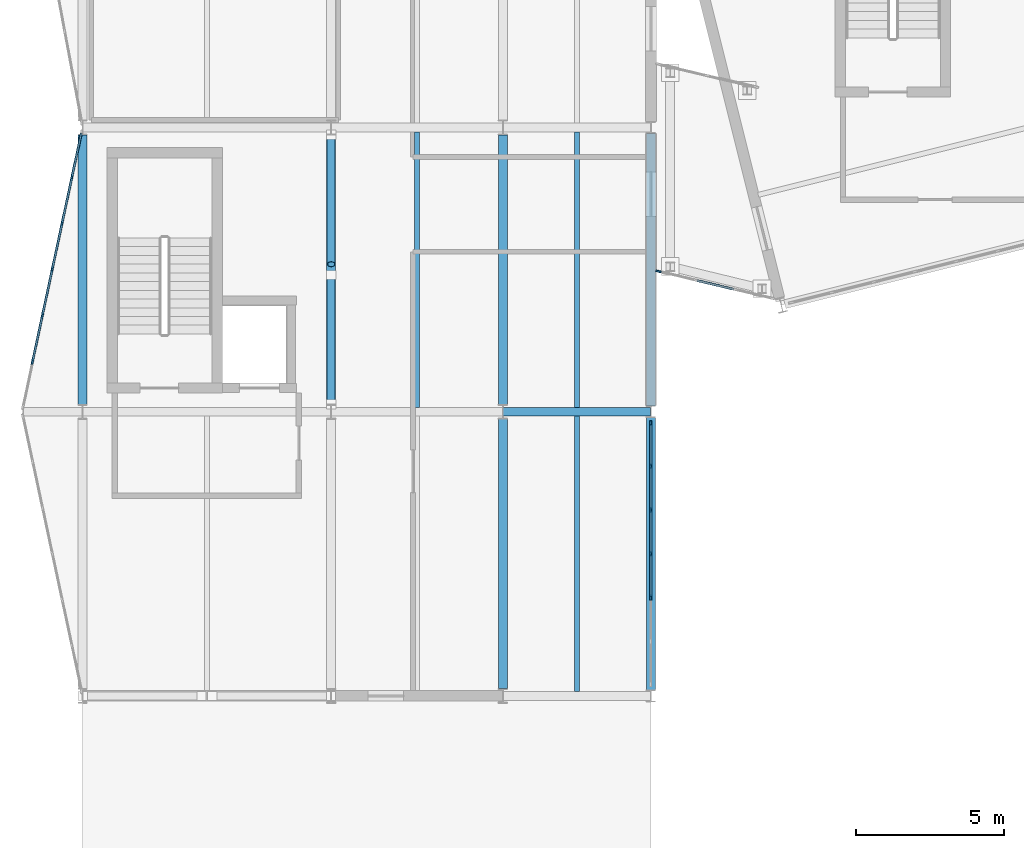
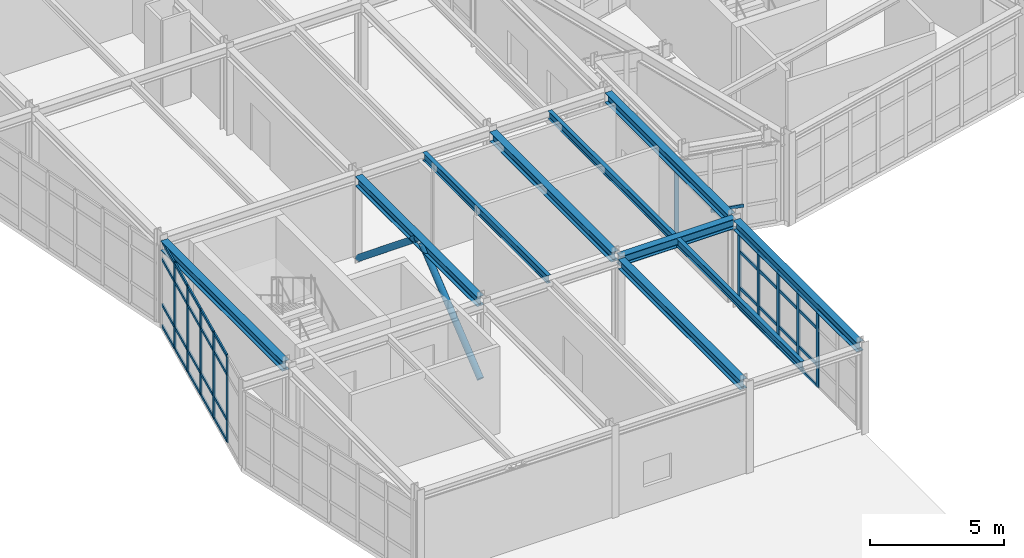
# One storey, part 15 of 88: 51 members, 10 beams, 3 elements without a shape of their own.
"""IFC4 building model written with IfcOpenShell, lengths in metres."""

from ifc_helpers import new_model, si_unit, direction, frame, origin, origin_2d, place, context, subcontext, project, spatial, rectangle, hollow_circle, i_section, extrude, material, layer, layer_set, material_profile, profile_set, type_object, element, aggregate, save


model = new_model("IFC4")

# Units and contexts
model_context = context("Model", 3, precision=1e-05, world=origin(), true_north=direction((0.0, 1.0)))
body_context = subcontext(model_context, "Body", "Model", "MODEL_VIEW")
ifc_project = project(units=[si_unit("LENGTHUNIT", "METRE"), si_unit("AREAUNIT", "SQUARE_METRE"), si_unit("VOLUMEUNIT", "CUBIC_METRE"), si_unit("PLANEANGLEUNIT", "RADIAN"), si_unit("MASSUNIT", "GRAM", prefix="KILO")], contexts=[model_context])

# Site, building, storey
site_placement = place(None, origin())
site = spatial("IfcSite", under=ifc_project, at=site_placement, CompositionType="ELEMENT")
building_placement = place(site_placement, origin())
building = spatial("IfcBuilding", under=site, at=building_placement, Name="Nordkorset Police Headquarters", CompositionType="ELEMENT")
storey_placement = place(building_placement, frame((0.0, 0.0, 9.449951171875)))
storey = spatial("IfcBuildingStorey", under=building, at=storey_placement, Name="L02", CompositionType="ELEMENT", Elevation=9.449951171875)

# Beams
ifc_material_1 = material(Name="Steel S355J2", Category="steel")
ifc_material_profile_1 = material_profile(ifc_material_1, i_section(OverallWidth=0.169921875, OverallDepth=0.360107421875, WebThickness=0.008056640625, FlangeThickness=0.0126953125, FilletRadius=0.01806640625, at=origin_2d()), Name="IPE 360")
ifc_profile_set_1 = profile_set([ifc_material_profile_1], Name="Steel S355J2")
beam_type_1 = type_object("IfcBeamType", Name="Beam_IPE_360", PredefinedType="BEAM", material=ifc_profile_set_1)
for number, where, z_axis, x_axis, name in (
    (1, (11.300048828125, 38.550048828125, 3.7900390625), (0.0, 1.0, 0.0), (-1.0, 0.0, 0.0), "Composite Floor Beam V3 L02 1-1-1"),
    (2, (16.699951171875, 28.949951171875, 3.7900390625), (0.0, 1.0, 0.0), (-1.0, 0.0, 0.0), "Composite Floor Beam V3 L02 2-0-1"),
    (3, (16.699951171875, 38.550048828125, 3.7900390625), (0.0, 1.0, 0.0), (-1.0, 0.0, 0.0), "Composite Floor Beam V3 L02 2-1-1"),
):
    element("IfcBeam", number, at=place(storey_placement, frame(where, z_axis=z_axis, x_axis=x_axis)), inside=storey, type_object=beam_type_1, Name=name, PredefinedType="BEAM", context=body_context, shape_type="SweptSolid", body=[
        extrude(i_section(OverallWidth=0.169921875, OverallDepth=0.360107421875, WebThickness=0.008056640625, FlangeThickness=0.0126953125, FilletRadius=0.01806640625, at=origin_2d()), origin(), (0.0, 0.0, 1.0), 9.300048828125),
    ])

# Members
ifc_material_2 = material(Name="Steel S355J2", Category="steel")
ifc_material_profile_2 = material_profile(ifc_material_2, hollow_circle(Radius=0.136474609375, WallThickness=0.012451171875, at=origin_2d()), Name="CHS 273x12.5")
ifc_profile_set_2 = profile_set([ifc_material_profile_2], Name="Steel S355J2")
member_type_1 = type_object("IfcMemberType", Name="Brace_CHS_273x12.5", PredefinedType="BRACE", material=ifc_profile_set_2)
for number, where, z_axis, x_axis, name in (
    (4, (8.39990234375, 38.64990234375, 0.199951171875), (0.0, 0.776172356383, 0.630520795205), (-1.0, 0.0, 0.0), "Lateral Chevron Brace BF-V3-A L02 D1"),
    (5, (8.39990234375, 47.75, 0.199951171875), (0.0, -0.776172356383, 0.630520795205), (1.0, 0.0, 0.0), "Lateral Chevron Brace BF-V3-A L02 D2"),
):
    element("IfcMember", number, at=place(storey_placement, frame(where, z_axis=z_axis, x_axis=x_axis)), inside=storey, type_object=member_type_1, Name=name, PredefinedType="BRACE", context=body_context, shape_type="SweptSolid", body=[
        extrude(hollow_circle(Radius=0.136474609375, WallThickness=0.012451171875, at=origin_2d()), origin(), (0.0, 0.0, 1.0), 5.63037109375),
    ])

# Curtain wall, members
ifc_material_3 = material(Name="Aluminium alloy AW-6060", Category="aluminium")
ifc_layer_1 = layer(ifc_material_3, 0.179931640625, Name="Aluminium alloy AW-6060")
ifc_layer_set_1 = layer_set([ifc_layer_1], Name="Aluminium alloy AW-6060")
curtain_wall_type_1 = type_object("IfcCurtainWallType", Name="CW_Unit_888x351", PredefinedType="USERDEFINED", material=ifc_layer_set_1)
curtain_wall_1_placement = place(storey_placement, origin())
curtain_wall_1 = element("IfcCurtainWall", 6, at=curtain_wall_1_placement, inside=storey, type_object=curtain_wall_type_1, Name="Unitised Curtain Wall L02 V3E-0", ObjectType="UNITISED CURTAIN WALL", PredefinedType="USERDEFINED")
ifc_material_4 = material(Name="Aluminium alloy AW-6060", Category="aluminium")
ifc_material_profile_3 = material_profile(ifc_material_4, rectangle(XDim=0.06494140625, YDim=0.179931640625, at=origin_2d()), Name="ALU MULL 65x180")
ifc_profile_set_3 = profile_set([ifc_material_profile_3], Name="Aluminium alloy AW-6060")
member_type_2 = type_object("IfcMemberType", Name="CW_Mullion_65x180", PredefinedType="MULLION", material=ifc_profile_set_3)
member_1_placement = place(storey_placement, frame((19.199951171875, 32.1201171875, 0.0), z_axis=(0.0, 0.0, 1.0), x_axis=(-1.0, 0.0, 0.0)))
member_1 = element("IfcMember", 7, at=member_1_placement, type_object=member_type_2, Name="CW-58 mullion 3", PredefinedType="MULLION", context=body_context, shape_type="SweptSolid", body=[
    extrude(rectangle(XDim=0.06494140625, YDim=0.179931640625, at=origin_2d()), origin(), (0.0, 0.0, 1.0), 3.510009765625),
])
member_2_placement = place(storey_placement, frame((19.199951171875, 33.60009765625, 0.0), z_axis=(0.0, 0.0, 1.0), x_axis=(-1.0, 0.0, 0.0)))
member_2 = element("IfcMember", 8, at=member_2_placement, type_object=member_type_2, Name="CW-58 mullion 4", PredefinedType="MULLION", context=body_context, shape_type="SweptSolid", body=[
    extrude(rectangle(XDim=0.06494140625, YDim=0.179931640625, at=origin_2d()), origin(), (0.0, 0.0, 1.0), 3.510009765625),
])
member_3_placement = place(storey_placement, frame((19.199951171875, 35.080078125, 0.0), z_axis=(0.0, 0.0, 1.0), x_axis=(-1.0, 0.0, 0.0)))
member_3 = element("IfcMember", 9, at=member_3_placement, type_object=member_type_2, Name="CW-58 mullion 5", PredefinedType="MULLION", context=body_context, shape_type="SweptSolid", body=[
    extrude(rectangle(XDim=0.06494140625, YDim=0.179931640625, at=origin_2d()), origin(), (0.0, 0.0, 1.0), 3.510009765625),
])
member_4_placement = place(storey_placement, frame((19.199951171875, 36.56005859375, 0.0), z_axis=(0.0, 0.0, 1.0), x_axis=(-1.0, 0.0, 0.0)))
member_4 = element("IfcMember", 10, at=member_4_placement, type_object=member_type_2, Name="CW-58 mullion 6", PredefinedType="MULLION", context=body_context, shape_type="SweptSolid", body=[
    extrude(rectangle(XDim=0.06494140625, YDim=0.179931640625, at=origin_2d()), origin(), (0.0, 0.0, 1.0), 3.510009765625),
])
member_5_placement = place(storey_placement, frame((19.199951171875, 38.007568359375, 0.0), z_axis=(0.0, 0.0, 1.0), x_axis=(-1.0, 0.0, 0.0)))
member_5 = element("IfcMember", 11, at=member_5_placement, type_object=member_type_2, Name="CW-58 mullion 7", PredefinedType="MULLION", context=body_context, shape_type="SweptSolid", body=[
    extrude(rectangle(XDim=0.06494140625, YDim=0.179931640625, at=origin_2d()), origin(), (0.0, 0.0, 1.0), 3.510009765625),
])

ifc_material_5 = material(Name="Aluminium alloy AW-6060", Category="aluminium")
ifc_layer_2 = layer(ifc_material_5, 0.179931640625, Name="Aluminium alloy AW-6060")
ifc_layer_set_2 = layer_set([ifc_layer_2], Name="Aluminium alloy AW-6060")
curtain_wall_type_2 = type_object("IfcCurtainWallType", Name="CW_Unit_954x392", PredefinedType="USERDEFINED", material=ifc_layer_set_2)
curtain_wall_2_placement = place(storey_placement, origin())
curtain_wall_2 = element("IfcCurtainWall", 12, at=curtain_wall_2_placement, inside=storey, type_object=curtain_wall_type_2, Name="Unitised Curtain Wall L02 V3W-1", ObjectType="UNITISED CURTAIN WALL", PredefinedType="USERDEFINED")
member_6_placement = place(storey_placement, frame((-1.688720703125, 40.09130859375, 0.0), z_axis=(0.0, 0.0, 1.0), x_axis=(-0.977951416289, 0.208832534289, 0.0)))
member_6 = element("IfcMember", 13, at=member_6_placement, type_object=member_type_2, Name="CW-20 mullion 2", PredefinedType="MULLION", context=body_context, shape_type="SweptSolid", body=[
    extrude(rectangle(XDim=0.06494140625, YDim=0.179931640625, at=origin_2d()), origin(), (0.0, 0.0, 1.0), 3.920166015625),
])
member_7_placement = place(storey_placement, frame((-1.35693359375, 41.645751953125, 0.0), z_axis=(0.0, 0.0, 1.0), x_axis=(-0.977951416289, 0.208832534289, 0.0)))
member_7 = element("IfcMember", 14, at=member_7_placement, type_object=member_type_2, Name="CW-20 mullion 3", PredefinedType="MULLION", context=body_context, shape_type="SweptSolid", body=[
    extrude(rectangle(XDim=0.06494140625, YDim=0.179931640625, at=origin_2d()), origin(), (0.0, 0.0, 1.0), 3.920166015625),
])
member_8_placement = place(storey_placement, frame((-1.02490234375, 43.199951171875, 0.0), z_axis=(0.0, 0.0, 1.0), x_axis=(-0.977951416289, 0.208832534289, 0.0)))
member_8 = element("IfcMember", 15, at=member_8_placement, type_object=member_type_2, Name="CW-20 mullion 4", PredefinedType="MULLION", context=body_context, shape_type="SweptSolid", body=[
    extrude(rectangle(XDim=0.06494140625, YDim=0.179931640625, at=origin_2d()), origin(), (0.0, 0.0, 1.0), 3.920166015625),
])
member_9_placement = place(storey_placement, frame((-0.693115234375, 44.75439453125, 0.0), z_axis=(0.0, 0.0, 1.0), x_axis=(-0.977951416289, 0.208832534289, 0.0)))
member_9 = element("IfcMember", 16, at=member_9_placement, type_object=member_type_2, Name="CW-20 mullion 5", PredefinedType="MULLION", context=body_context, shape_type="SweptSolid", body=[
    extrude(rectangle(XDim=0.06494140625, YDim=0.179931640625, at=origin_2d()), origin(), (0.0, 0.0, 1.0), 3.920166015625),
])
member_10_placement = place(storey_placement, frame((-0.361083984375, 46.308837890625, 0.0), z_axis=(0.0, 0.0, 1.0), x_axis=(-0.977951416289, 0.208832534289, 0.0)))
member_10 = element("IfcMember", 17, at=member_10_placement, type_object=member_type_2, Name="CW-20 mullion 6", PredefinedType="MULLION", context=body_context, shape_type="SweptSolid", body=[
    extrude(rectangle(XDim=0.06494140625, YDim=0.179931640625, at=origin_2d()), origin(), (0.0, 0.0, 1.0), 3.920166015625),
])

# Curtain wall, member
ifc_material_6 = material(Name="Aluminium alloy AW-6060", Category="aluminium")
ifc_layer_3 = layer(ifc_material_6, 0.179931640625, Name="Aluminium alloy AW-6060")
ifc_layer_set_3 = layer_set([ifc_layer_3], Name="Aluminium alloy AW-6060")
curtain_wall_type_3 = type_object("IfcCurtainWallType", Name="CW_Unit_401x364", PredefinedType="USERDEFINED", material=ifc_layer_set_3)
curtain_wall_3_placement = place(storey_placement, origin())
curtain_wall_3 = element("IfcCurtainWall", 18, at=curtain_wall_3_placement, inside=storey, type_object=curtain_wall_type_3, Name="Unitised Curtain Wall L02 BRGW-S", ObjectType="UNITISED CURTAIN WALL", PredefinedType="USERDEFINED")
member_11_placement = place(storey_placement, frame((19.456787109375, 43.140869140625, 0.0), z_axis=(0.0, 0.0, 1.0), x_axis=(0.231206329825, 0.972904739966, 0.0)))
member_11 = element("IfcMember", 19, at=member_11_placement, type_object=member_type_2, Name="CW-14 mullion 1", PredefinedType="MULLION", context=body_context, shape_type="SweptSolid", body=[
    extrude(rectangle(XDim=0.06494140625, YDim=0.179931640625, at=origin_2d()), origin(), (0.0, 0.0, 1.0), 3.635009765625),
])

# Member
ifc_material_7 = material(Name="Aluminium alloy AW-6060", Category="aluminium")
ifc_material_profile_4 = material_profile(ifc_material_7, rectangle(XDim=0.06494140625, YDim=0.139892578125, at=origin_2d()), Name="ALU TRAN 65x140")
ifc_profile_set_4 = profile_set([ifc_material_profile_4], Name="Aluminium alloy AW-6060")
member_type_3 = type_object("IfcMemberType", Name="CW_Transom_65x140", PredefinedType="USERDEFINED", material=ifc_profile_set_4)
member_12_placement = place(storey_placement, frame((19.199951171875, 32.152587890625, 0.032470703125), z_axis=(0.0, 1.0, 0.0), x_axis=(-1.0, 0.0, 0.0)))
member_12 = element("IfcMember", 20, at=member_12_placement, type_object=member_type_3, Name="CW-58 transom 3.1", ObjectType="TRANSOM", PredefinedType="USERDEFINED", context=body_context, shape_type="SweptSolid", body=[
    extrude(rectangle(XDim=0.06494140625, YDim=0.139892578125, at=origin_2d()), origin(), (0.0, 0.0, 1.0), 1.414794921875),
])

member_13_placement = place(storey_placement, frame((19.199951171875, 32.152587890625, 1.0), z_axis=(0.0, 1.0, 0.0), x_axis=(-1.0, 0.0, 0.0)))
member_13 = element("IfcMember", 21, at=member_13_placement, type_object=member_type_3, Name="CW-58 transom 3.2", ObjectType="TRANSOM", PredefinedType="USERDEFINED", context=body_context, shape_type="SweptSolid", body=[
    extrude(rectangle(XDim=0.06494140625, YDim=0.139892578125, at=origin_2d()), origin(), (0.0, 0.0, 1.0), 1.414794921875),
])

member_14_placement = place(storey_placement, frame((19.199951171875, 32.152587890625, 2.66015625), z_axis=(0.0, 1.0, 0.0), x_axis=(-1.0, 0.0, 0.0)))
member_14 = element("IfcMember", 22, at=member_14_placement, type_object=member_type_3, Name="CW-58 transom 3.3", ObjectType="TRANSOM", PredefinedType="USERDEFINED", context=body_context, shape_type="SweptSolid", body=[
    extrude(rectangle(XDim=0.06494140625, YDim=0.139892578125, at=origin_2d()), origin(), (0.0, 0.0, 1.0), 1.414794921875),
])

member_15_placement = place(storey_placement, frame((19.199951171875, 32.152587890625, 3.4775390625), z_axis=(0.0, 1.0, 0.0), x_axis=(-1.0, 0.0, 0.0)))
member_15 = element("IfcMember", 23, at=member_15_placement, type_object=member_type_3, Name="CW-58 transom 3.4", ObjectType="TRANSOM", PredefinedType="USERDEFINED", context=body_context, shape_type="SweptSolid", body=[
    extrude(rectangle(XDim=0.06494140625, YDim=0.139892578125, at=origin_2d()), origin(), (0.0, 0.0, 1.0), 1.414794921875),
])

member_16_placement = place(storey_placement, frame((19.199951171875, 33.632568359375, 0.032470703125), z_axis=(0.0, 1.0, 0.0), x_axis=(-1.0, 0.0, 0.0)))
member_16 = element("IfcMember", 24, at=member_16_placement, type_object=member_type_3, Name="CW-58 transom 4.1", ObjectType="TRANSOM", PredefinedType="USERDEFINED", context=body_context, shape_type="SweptSolid", body=[
    extrude(rectangle(XDim=0.06494140625, YDim=0.139892578125, at=origin_2d()), origin(), (0.0, 0.0, 1.0), 1.4150390625),
])

member_17_placement = place(storey_placement, frame((19.199951171875, 33.632568359375, 1.0), z_axis=(0.0, 1.0, 0.0), x_axis=(-1.0, 0.0, 0.0)))
member_17 = element("IfcMember", 25, at=member_17_placement, type_object=member_type_3, Name="CW-58 transom 4.2", ObjectType="TRANSOM", PredefinedType="USERDEFINED", context=body_context, shape_type="SweptSolid", body=[
    extrude(rectangle(XDim=0.06494140625, YDim=0.139892578125, at=origin_2d()), origin(), (0.0, 0.0, 1.0), 1.4150390625),
])

member_18_placement = place(storey_placement, frame((19.199951171875, 33.632568359375, 2.66015625), z_axis=(0.0, 1.0, 0.0), x_axis=(-1.0, 0.0, 0.0)))
member_18 = element("IfcMember", 26, at=member_18_placement, type_object=member_type_3, Name="CW-58 transom 4.3", ObjectType="TRANSOM", PredefinedType="USERDEFINED", context=body_context, shape_type="SweptSolid", body=[
    extrude(rectangle(XDim=0.06494140625, YDim=0.139892578125, at=origin_2d()), origin(), (0.0, 0.0, 1.0), 1.4150390625),
])

member_19_placement = place(storey_placement, frame((19.199951171875, 33.632568359375, 3.4775390625), z_axis=(0.0, 1.0, 0.0), x_axis=(-1.0, 0.0, 0.0)))
member_19 = element("IfcMember", 27, at=member_19_placement, type_object=member_type_3, Name="CW-58 transom 4.4", ObjectType="TRANSOM", PredefinedType="USERDEFINED", context=body_context, shape_type="SweptSolid", body=[
    extrude(rectangle(XDim=0.06494140625, YDim=0.139892578125, at=origin_2d()), origin(), (0.0, 0.0, 1.0), 1.4150390625),
])

member_20_placement = place(storey_placement, frame((19.199951171875, 35.112548828125, 0.032470703125), z_axis=(0.0, 1.0, 0.0), x_axis=(-1.0, 0.0, 0.0)))
member_20 = element("IfcMember", 28, at=member_20_placement, type_object=member_type_3, Name="CW-58 transom 5.1", ObjectType="TRANSOM", PredefinedType="USERDEFINED", context=body_context, shape_type="SweptSolid", body=[
    extrude(rectangle(XDim=0.06494140625, YDim=0.139892578125, at=origin_2d()), origin(), (0.0, 0.0, 1.0), 1.4150390625),
])

member_21_placement = place(storey_placement, frame((19.199951171875, 35.112548828125, 1.0), z_axis=(0.0, 1.0, 0.0), x_axis=(-1.0, 0.0, 0.0)))
member_21 = element("IfcMember", 29, at=member_21_placement, type_object=member_type_3, Name="CW-58 transom 5.2", ObjectType="TRANSOM", PredefinedType="USERDEFINED", context=body_context, shape_type="SweptSolid", body=[
    extrude(rectangle(XDim=0.06494140625, YDim=0.139892578125, at=origin_2d()), origin(), (0.0, 0.0, 1.0), 1.4150390625),
])

member_22_placement = place(storey_placement, frame((19.199951171875, 35.112548828125, 2.66015625), z_axis=(0.0, 1.0, 0.0), x_axis=(-1.0, 0.0, 0.0)))
member_22 = element("IfcMember", 30, at=member_22_placement, type_object=member_type_3, Name="CW-58 transom 5.3", ObjectType="TRANSOM", PredefinedType="USERDEFINED", context=body_context, shape_type="SweptSolid", body=[
    extrude(rectangle(XDim=0.06494140625, YDim=0.139892578125, at=origin_2d()), origin(), (0.0, 0.0, 1.0), 1.4150390625),
])

member_23_placement = place(storey_placement, frame((19.199951171875, 35.112548828125, 3.4775390625), z_axis=(0.0, 1.0, 0.0), x_axis=(-1.0, 0.0, 0.0)))
member_23 = element("IfcMember", 31, at=member_23_placement, type_object=member_type_3, Name="CW-58 transom 5.4", ObjectType="TRANSOM", PredefinedType="USERDEFINED", context=body_context, shape_type="SweptSolid", body=[
    extrude(rectangle(XDim=0.06494140625, YDim=0.139892578125, at=origin_2d()), origin(), (0.0, 0.0, 1.0), 1.4150390625),
])

member_24_placement = place(storey_placement, frame((19.199951171875, 36.592529296875, 0.032470703125), z_axis=(0.0, 1.0, 0.0), x_axis=(-1.0, 0.0, 0.0)))
member_24 = element("IfcMember", 32, at=member_24_placement, type_object=member_type_3, Name="CW-58 transom 6.1", ObjectType="TRANSOM", PredefinedType="USERDEFINED", context=body_context, shape_type="SweptSolid", body=[
    extrude(rectangle(XDim=0.06494140625, YDim=0.139892578125, at=origin_2d()), origin(), (0.0, 0.0, 1.0), 1.382568359375),
])

member_25_placement = place(storey_placement, frame((19.199951171875, 36.592529296875, 1.0), z_axis=(0.0, 1.0, 0.0), x_axis=(-1.0, 0.0, 0.0)))
member_25 = element("IfcMember", 33, at=member_25_placement, type_object=member_type_3, Name="CW-58 transom 6.2", ObjectType="TRANSOM", PredefinedType="USERDEFINED", context=body_context, shape_type="SweptSolid", body=[
    extrude(rectangle(XDim=0.06494140625, YDim=0.139892578125, at=origin_2d()), origin(), (0.0, 0.0, 1.0), 1.382568359375),
])

member_26_placement = place(storey_placement, frame((19.199951171875, 36.592529296875, 2.66015625), z_axis=(0.0, 1.0, 0.0), x_axis=(-1.0, 0.0, 0.0)))
member_26 = element("IfcMember", 34, at=member_26_placement, type_object=member_type_3, Name="CW-58 transom 6.3", ObjectType="TRANSOM", PredefinedType="USERDEFINED", context=body_context, shape_type="SweptSolid", body=[
    extrude(rectangle(XDim=0.06494140625, YDim=0.139892578125, at=origin_2d()), origin(), (0.0, 0.0, 1.0), 1.382568359375),
])

member_27_placement = place(storey_placement, frame((19.199951171875, 36.592529296875, 3.4775390625), z_axis=(0.0, 1.0, 0.0), x_axis=(-1.0, 0.0, 0.0)))
member_27 = element("IfcMember", 35, at=member_27_placement, type_object=member_type_3, Name="CW-58 transom 6.4", ObjectType="TRANSOM", PredefinedType="USERDEFINED", context=body_context, shape_type="SweptSolid", body=[
    extrude(rectangle(XDim=0.06494140625, YDim=0.139892578125, at=origin_2d()), origin(), (0.0, 0.0, 1.0), 1.382568359375),
])

aggregate(curtain_wall_1, [member_1, member_2, member_3, member_4, member_5, member_12, member_13, member_14, member_15, member_16, member_17, member_18, member_19, member_20, member_21, member_22, member_23, member_24, member_25, member_26, member_27])

member_28_placement = place(storey_placement, frame((-1.68212890625, 40.123046875, 0.032470703125), z_axis=(0.208850890154, 0.977947496383, 0.0), x_axis=(-0.977947496383, 0.208850890154, 0.0)))
member_28 = element("IfcMember", 36, at=member_28_placement, type_object=member_type_3, Name="CW-20 transom 2.1", ObjectType="TRANSOM", PredefinedType="USERDEFINED", context=body_context, shape_type="SweptSolid", body=[
    extrude(rectangle(XDim=0.06494140625, YDim=0.139892578125, at=origin_2d()), origin(), (0.0, 0.0, 1.0), 1.5244140625),
])

member_29_placement = place(storey_placement, frame((-1.68212890625, 40.123046875, 1.0), z_axis=(0.208850890154, 0.977947496383, 0.0), x_axis=(-0.977947496383, 0.208850890154, 0.0)))
member_29 = element("IfcMember", 37, at=member_29_placement, type_object=member_type_3, Name="CW-20 transom 2.2", ObjectType="TRANSOM", PredefinedType="USERDEFINED", context=body_context, shape_type="SweptSolid", body=[
    extrude(rectangle(XDim=0.06494140625, YDim=0.139892578125, at=origin_2d()), origin(), (0.0, 0.0, 1.0), 1.5244140625),
])

member_30_placement = place(storey_placement, frame((-1.68212890625, 40.123046875, 3.070068359375), z_axis=(0.208850890154, 0.977947496383, 0.0), x_axis=(-0.977947496383, 0.208850890154, 0.0)))
member_30 = element("IfcMember", 38, at=member_30_placement, type_object=member_type_3, Name="CW-20 transom 2.3", ObjectType="TRANSOM", PredefinedType="USERDEFINED", context=body_context, shape_type="SweptSolid", body=[
    extrude(rectangle(XDim=0.06494140625, YDim=0.139892578125, at=origin_2d()), origin(), (0.0, 0.0, 1.0), 1.5244140625),
])

member_31_placement = place(storey_placement, frame((-1.68212890625, 40.123046875, 3.887451171875), z_axis=(0.208850890154, 0.977947496383, 0.0), x_axis=(-0.977947496383, 0.208850890154, 0.0)))
member_31 = element("IfcMember", 39, at=member_31_placement, type_object=member_type_3, Name="CW-20 transom 2.4", ObjectType="TRANSOM", PredefinedType="USERDEFINED", context=body_context, shape_type="SweptSolid", body=[
    extrude(rectangle(XDim=0.06494140625, YDim=0.139892578125, at=origin_2d()), origin(), (0.0, 0.0, 1.0), 1.5244140625),
])

member_32_placement = place(storey_placement, frame((-1.35009765625, 41.677490234375, 0.032470703125), z_axis=(0.208850890154, 0.977947496383, 0.0), x_axis=(-0.977947496383, 0.208850890154, 0.0)))
member_32 = element("IfcMember", 40, at=member_32_placement, type_object=member_type_3, Name="CW-20 transom 3.1", ObjectType="TRANSOM", PredefinedType="USERDEFINED", context=body_context, shape_type="SweptSolid", body=[
    extrude(rectangle(XDim=0.06494140625, YDim=0.139892578125, at=origin_2d()), origin(), (0.0, 0.0, 1.0), 1.5244140625),
])

member_33_placement = place(storey_placement, frame((-1.35009765625, 41.677490234375, 1.0), z_axis=(0.208850890154, 0.977947496383, 0.0), x_axis=(-0.977947496383, 0.208850890154, 0.0)))
member_33 = element("IfcMember", 41, at=member_33_placement, type_object=member_type_3, Name="CW-20 transom 3.2", ObjectType="TRANSOM", PredefinedType="USERDEFINED", context=body_context, shape_type="SweptSolid", body=[
    extrude(rectangle(XDim=0.06494140625, YDim=0.139892578125, at=origin_2d()), origin(), (0.0, 0.0, 1.0), 1.5244140625),
])

member_34_placement = place(storey_placement, frame((-1.35009765625, 41.677490234375, 3.070068359375), z_axis=(0.208850890154, 0.977947496383, 0.0), x_axis=(-0.977947496383, 0.208850890154, 0.0)))
member_34 = element("IfcMember", 42, at=member_34_placement, type_object=member_type_3, Name="CW-20 transom 3.3", ObjectType="TRANSOM", PredefinedType="USERDEFINED", context=body_context, shape_type="SweptSolid", body=[
    extrude(rectangle(XDim=0.06494140625, YDim=0.139892578125, at=origin_2d()), origin(), (0.0, 0.0, 1.0), 1.5244140625),
])

member_35_placement = place(storey_placement, frame((-1.35009765625, 41.677490234375, 3.887451171875), z_axis=(0.208850890154, 0.977947496383, 0.0), x_axis=(-0.977947496383, 0.208850890154, 0.0)))
member_35 = element("IfcMember", 43, at=member_35_placement, type_object=member_type_3, Name="CW-20 transom 3.4", ObjectType="TRANSOM", PredefinedType="USERDEFINED", context=body_context, shape_type="SweptSolid", body=[
    extrude(rectangle(XDim=0.06494140625, YDim=0.139892578125, at=origin_2d()), origin(), (0.0, 0.0, 1.0), 1.5244140625),
])

member_36_placement = place(storey_placement, frame((-1.018310546875, 43.231689453125, 0.032470703125), z_axis=(0.208818182896, 0.977954480787, 0.0), x_axis=(-0.977954480787, 0.208818182896, 0.0)))
member_36 = element("IfcMember", 44, at=member_36_placement, type_object=member_type_3, Name="CW-20 transom 4.1", ObjectType="TRANSOM", PredefinedType="USERDEFINED", context=body_context, shape_type="SweptSolid", body=[
    extrude(rectangle(XDim=0.06494140625, YDim=0.139892578125, at=origin_2d()), origin(), (0.0, 0.0, 1.0), 1.524658203125),
])

member_37_placement = place(storey_placement, frame((-1.018310546875, 43.231689453125, 1.0), z_axis=(0.208818182896, 0.977954480787, 0.0), x_axis=(-0.977954480787, 0.208818182896, 0.0)))
member_37 = element("IfcMember", 45, at=member_37_placement, type_object=member_type_3, Name="CW-20 transom 4.2", ObjectType="TRANSOM", PredefinedType="USERDEFINED", context=body_context, shape_type="SweptSolid", body=[
    extrude(rectangle(XDim=0.06494140625, YDim=0.139892578125, at=origin_2d()), origin(), (0.0, 0.0, 1.0), 1.524658203125),
])

member_38_placement = place(storey_placement, frame((-1.018310546875, 43.231689453125, 3.070068359375), z_axis=(0.208818182896, 0.977954480787, 0.0), x_axis=(-0.977954480787, 0.208818182896, 0.0)))
member_38 = element("IfcMember", 46, at=member_38_placement, type_object=member_type_3, Name="CW-20 transom 4.3", ObjectType="TRANSOM", PredefinedType="USERDEFINED", context=body_context, shape_type="SweptSolid", body=[
    extrude(rectangle(XDim=0.06494140625, YDim=0.139892578125, at=origin_2d()), origin(), (0.0, 0.0, 1.0), 1.524658203125),
])

member_39_placement = place(storey_placement, frame((-1.018310546875, 43.231689453125, 3.887451171875), z_axis=(0.208818182896, 0.977954480787, 0.0), x_axis=(-0.977954480787, 0.208818182896, 0.0)))
member_39 = element("IfcMember", 47, at=member_39_placement, type_object=member_type_3, Name="CW-20 transom 4.4", ObjectType="TRANSOM", PredefinedType="USERDEFINED", context=body_context, shape_type="SweptSolid", body=[
    extrude(rectangle(XDim=0.06494140625, YDim=0.139892578125, at=origin_2d()), origin(), (0.0, 0.0, 1.0), 1.524658203125),
])

member_40_placement = place(storey_placement, frame((-0.686279296875, 44.7861328125, 0.032470703125), z_axis=(0.208850890154, 0.977947496383, 0.0), x_axis=(-0.977947496383, 0.208850890154, 0.0)))
member_40 = element("IfcMember", 48, at=member_40_placement, type_object=member_type_3, Name="CW-20 transom 5.1", ObjectType="TRANSOM", PredefinedType="USERDEFINED", context=body_context, shape_type="SweptSolid", body=[
    extrude(rectangle(XDim=0.06494140625, YDim=0.139892578125, at=origin_2d()), origin(), (0.0, 0.0, 1.0), 1.5244140625),
])

member_41_placement = place(storey_placement, frame((-0.686279296875, 44.7861328125, 1.0), z_axis=(0.208850890154, 0.977947496383, 0.0), x_axis=(-0.977947496383, 0.208850890154, 0.0)))
member_41 = element("IfcMember", 49, at=member_41_placement, type_object=member_type_3, Name="CW-20 transom 5.2", ObjectType="TRANSOM", PredefinedType="USERDEFINED", context=body_context, shape_type="SweptSolid", body=[
    extrude(rectangle(XDim=0.06494140625, YDim=0.139892578125, at=origin_2d()), origin(), (0.0, 0.0, 1.0), 1.5244140625),
])

member_42_placement = place(storey_placement, frame((-0.686279296875, 44.7861328125, 3.070068359375), z_axis=(0.208850890154, 0.977947496383, 0.0), x_axis=(-0.977947496383, 0.208850890154, 0.0)))
member_42 = element("IfcMember", 50, at=member_42_placement, type_object=member_type_3, Name="CW-20 transom 5.3", ObjectType="TRANSOM", PredefinedType="USERDEFINED", context=body_context, shape_type="SweptSolid", body=[
    extrude(rectangle(XDim=0.06494140625, YDim=0.139892578125, at=origin_2d()), origin(), (0.0, 0.0, 1.0), 1.5244140625),
])

member_43_placement = place(storey_placement, frame((-0.686279296875, 44.7861328125, 3.887451171875), z_axis=(0.208850890154, 0.977947496383, 0.0), x_axis=(-0.977947496383, 0.208850890154, 0.0)))
member_43 = element("IfcMember", 51, at=member_43_placement, type_object=member_type_3, Name="CW-20 transom 5.4", ObjectType="TRANSOM", PredefinedType="USERDEFINED", context=body_context, shape_type="SweptSolid", body=[
    extrude(rectangle(XDim=0.06494140625, YDim=0.139892578125, at=origin_2d()), origin(), (0.0, 0.0, 1.0), 1.5244140625),
])

member_44_placement = place(storey_placement, frame((-0.3544921875, 46.340576171875, 0.032470703125), z_axis=(0.208970278443, 0.977921992148, 0.0), x_axis=(-0.977921992148, 0.208970278443, 0.0)))
member_44 = element("IfcMember", 52, at=member_44_placement, type_object=member_type_3, Name="CW-20 transom 6.1", ObjectType="TRANSOM", PredefinedType="USERDEFINED", context=body_context, shape_type="SweptSolid", body=[
    extrude(rectangle(XDim=0.06494140625, YDim=0.139892578125, at=origin_2d()), origin(), (0.0, 0.0, 1.0), 1.491943359375),
])

member_45_placement = place(storey_placement, frame((-0.3544921875, 46.340576171875, 1.0), z_axis=(0.208970278443, 0.977921992148, 0.0), x_axis=(-0.977921992148, 0.208970278443, 0.0)))
member_45 = element("IfcMember", 53, at=member_45_placement, type_object=member_type_3, Name="CW-20 transom 6.2", ObjectType="TRANSOM", PredefinedType="USERDEFINED", context=body_context, shape_type="SweptSolid", body=[
    extrude(rectangle(XDim=0.06494140625, YDim=0.139892578125, at=origin_2d()), origin(), (0.0, 0.0, 1.0), 1.491943359375),
])

member_46_placement = place(storey_placement, frame((-0.3544921875, 46.340576171875, 3.070068359375), z_axis=(0.208970278443, 0.977921992148, 0.0), x_axis=(-0.977921992148, 0.208970278443, 0.0)))
member_46 = element("IfcMember", 54, at=member_46_placement, type_object=member_type_3, Name="CW-20 transom 6.3", ObjectType="TRANSOM", PredefinedType="USERDEFINED", context=body_context, shape_type="SweptSolid", body=[
    extrude(rectangle(XDim=0.06494140625, YDim=0.139892578125, at=origin_2d()), origin(), (0.0, 0.0, 1.0), 1.491943359375),
])

member_47_placement = place(storey_placement, frame((-0.3544921875, 46.340576171875, 3.887451171875), z_axis=(0.208970278443, 0.977921992148, 0.0), x_axis=(-0.977921992148, 0.208970278443, 0.0)))
member_47 = element("IfcMember", 55, at=member_47_placement, type_object=member_type_3, Name="CW-20 transom 6.4", ObjectType="TRANSOM", PredefinedType="USERDEFINED", context=body_context, shape_type="SweptSolid", body=[
    extrude(rectangle(XDim=0.06494140625, YDim=0.139892578125, at=origin_2d()), origin(), (0.0, 0.0, 1.0), 1.491943359375),
])

aggregate(curtain_wall_2, [member_6, member_7, member_8, member_9, member_10, member_28, member_29, member_30, member_31, member_32, member_33, member_34, member_35, member_36, member_37, member_38, member_39, member_40, member_41, member_42, member_43, member_44, member_45, member_46, member_47])

member_48_placement = place(storey_placement, frame((20.756591796875, 42.83203125, 0.032470703125), z_axis=(0.972900919479, -0.231222405656, 0.0), x_axis=(0.231222405656, 0.972900919479, 0.0)))
member_48 = element("IfcMember", 56, at=member_48_placement, type_object=member_type_3, Name="CW-14 transom 2.1", ObjectType="TRANSOM", PredefinedType="USERDEFINED", context=body_context, shape_type="SweptSolid", body=[
    extrude(rectangle(XDim=0.06494140625, YDim=0.139892578125, at=origin_2d()), origin(), (0.0, 0.0, 1.0), 1.271240234375),
])

member_49_placement = place(storey_placement, frame((20.756591796875, 42.83203125, 1.0), z_axis=(0.972900919479, -0.231222405656, 0.0), x_axis=(0.231222405656, 0.972900919479, 0.0)))
member_49 = element("IfcMember", 57, at=member_49_placement, type_object=member_type_3, Name="CW-14 transom 2.2", ObjectType="TRANSOM", PredefinedType="USERDEFINED", context=body_context, shape_type="SweptSolid", body=[
    extrude(rectangle(XDim=0.06494140625, YDim=0.139892578125, at=origin_2d()), origin(), (0.0, 0.0, 1.0), 1.271240234375),
])

aggregate(curtain_wall_3, [member_11, member_48, member_49])

# Beams
ifc_material_8 = material(Name="Steel S355J2", Category="steel")
ifc_material_profile_5 = material_profile(ifc_material_8, i_section(OverallWidth=0.300048828125, OverallDepth=0.43994140625, WebThickness=0.011474609375, FlangeThickness=0.02099609375, FilletRadius=0.027099609375, at=origin_2d()), Name="HEA 450")
ifc_profile_set_5 = profile_set([ifc_material_profile_5], Name="Steel S355J2")
beam_type_2 = type_object("IfcBeamType", Name="Girder_HEA_450", PredefinedType="USERDEFINED", material=ifc_profile_set_5)
beam_1_placement = place(storey_placement, frame((14.207275390625, 38.39990234375, 3.75), z_axis=(1.0, 0.0, 0.0), x_axis=(0.0, 1.0, 0.0)))
element("IfcBeam", 58, at=beam_1_placement, inside=storey, type_object=beam_type_2, Name="Girder V3 L02 GX-1-2", ObjectType="GIRDER", PredefinedType="USERDEFINED", context=body_context, shape_type="SweptSolid", body=[
    extrude(i_section(OverallWidth=0.300048828125, OverallDepth=0.43994140625, WebThickness=0.011474609375, FlangeThickness=0.02099609375, FilletRadius=0.027099609375, at=origin_2d()), origin(), (0.0, 0.0, 1.0), 4.986083984375),
])
for number, where, z_axis, x_axis, name in (
    (59, (0.0, 38.64990234375, 3.75), (0.0, 1.0, 0.0), (-1.0, 0.0, 0.0), "Girder V3 L02 GY-0-1"),
    (60, (8.39990234375, 38.64990234375, 3.75), (0.0, 1.0, 0.0), (-1.0, 0.0, 0.0), "Girder V3 L02 GY-1-1"),
):
    element("IfcBeam", number, at=place(storey_placement, frame(where, z_axis=z_axis, x_axis=x_axis)), inside=storey, type_object=beam_type_2, Name=name, ObjectType="GIRDER", PredefinedType="USERDEFINED", context=body_context, shape_type="SweptSolid", body=[
        extrude(i_section(OverallWidth=0.300048828125, OverallDepth=0.43994140625, WebThickness=0.011474609375, FlangeThickness=0.02099609375, FilletRadius=0.027099609375, at=origin_2d()), origin(), (0.0, 0.0, 1.0), 9.10009765625),
    ])
beam_2_placement = place(storey_placement, frame((14.199951171875, 29.050048828125, 3.75), z_axis=(0.0, 1.0, 0.0), x_axis=(-1.0, 0.0, 0.0)))
element("IfcBeam", 61, at=beam_2_placement, inside=storey, type_object=beam_type_2, Name="Girder V3 L02 GY-2-0", ObjectType="GIRDER", PredefinedType="USERDEFINED", context=body_context, shape_type="SweptSolid", body=[
    extrude(i_section(OverallWidth=0.300048828125, OverallDepth=0.43994140625, WebThickness=0.011474609375, FlangeThickness=0.02099609375, FilletRadius=0.027099609375, at=origin_2d()), origin(), (0.0, 0.0, 1.0), 9.099853515625),
])
beam_3_placement = place(storey_placement, frame((14.199951171875, 38.64990234375, 3.75), z_axis=(0.0, 1.0, 0.0), x_axis=(-1.0, 0.0, 0.0)))
element("IfcBeam", 62, at=beam_3_placement, inside=storey, type_object=beam_type_2, Name="Girder V3 L02 GY-2-1", ObjectType="GIRDER", PredefinedType="USERDEFINED", context=body_context, shape_type="SweptSolid", body=[
    extrude(i_section(OverallWidth=0.300048828125, OverallDepth=0.43994140625, WebThickness=0.011474609375, FlangeThickness=0.02099609375, FilletRadius=0.027099609375, at=origin_2d()), origin(), (0.0, 0.0, 1.0), 9.10009765625),
])
for number, where, z_axis, x_axis, name in (
    (63, (19.199951171875, 29.0, 3.75), (0.0, 1.0, 0.0), (-1.0, 0.0, 0.0), "Girder V3 L02 GY-3-0"),
    (64, (19.199951171875, 38.60009765625, 3.75), (0.0, 1.0, 0.0), (-1.0, 0.0, 0.0), "Girder V3 L02 GY-3-1"),
):
    element("IfcBeam", number, at=place(storey_placement, frame(where, z_axis=z_axis, x_axis=x_axis)), inside=storey, type_object=beam_type_2, Name=name, ObjectType="GIRDER", PredefinedType="USERDEFINED", context=body_context, shape_type="SweptSolid", body=[
        extrude(i_section(OverallWidth=0.300048828125, OverallDepth=0.43994140625, WebThickness=0.011474609375, FlangeThickness=0.02099609375, FilletRadius=0.027099609375, at=origin_2d()), origin(), (0.0, 0.0, 1.0), 9.199951171875),
    ])

save(model, "model.ifc")
